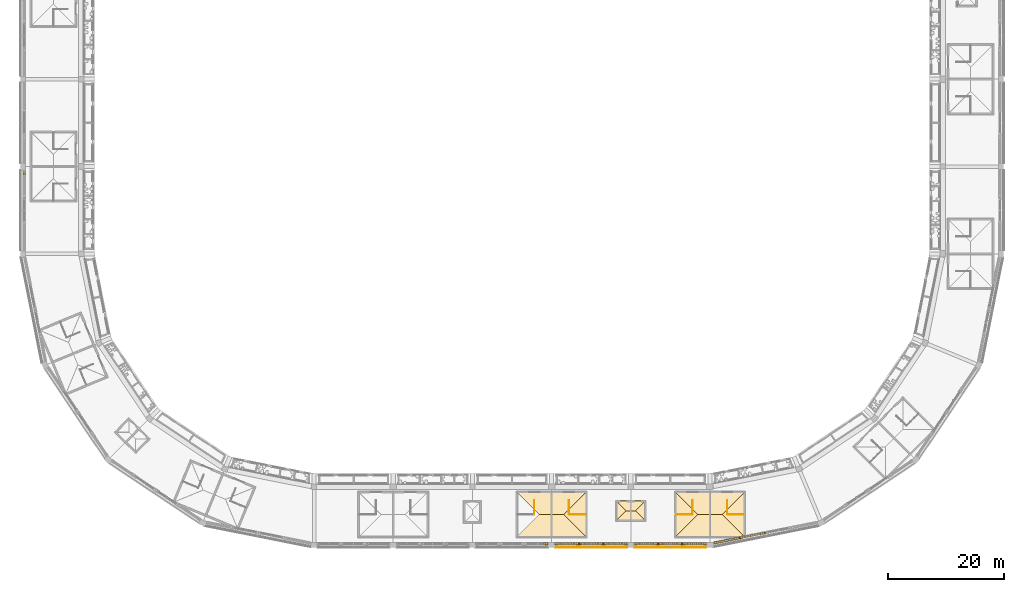
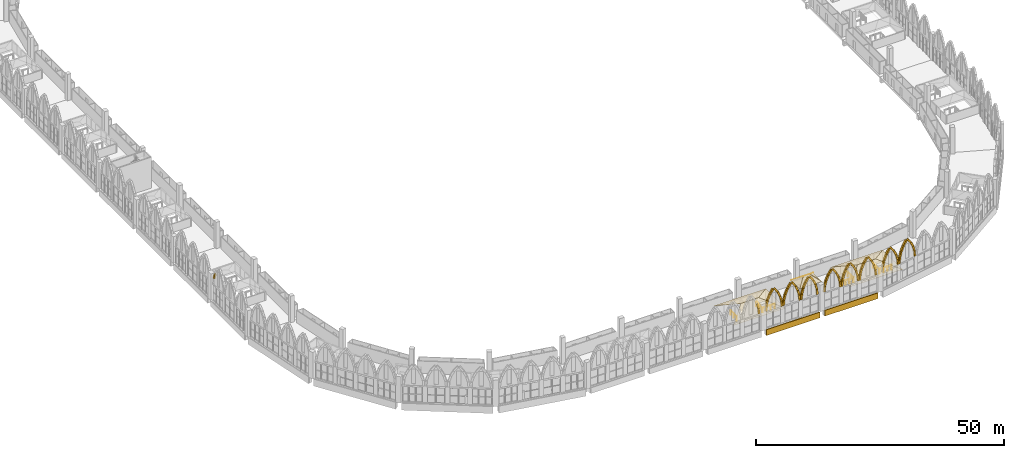
# One storey, part 108 of 130: 80 coverings, 7 railings.
"""IFC4 building model written with IfcOpenShell, lengths in metres."""

from ifc_helpers import new_model, si_unit, direction, frame, origin, origin_2d, place, context, subcontext, project, spatial, polyline, rectangle, circle, outline, extrude, material, layer, layer_set, material_profile, profile_set, type_object, element, save


model = new_model("IFC4")

# Units and contexts
model_context = context("Model", 3, precision=1e-05, world=origin(), true_north=direction((0.0, 1.0)))
body_context = subcontext(model_context, "Body", "Model", "MODEL_VIEW")
ifc_project = project(units=[si_unit("LENGTHUNIT", "METRE"), si_unit("AREAUNIT", "SQUARE_METRE"), si_unit("VOLUMEUNIT", "CUBIC_METRE"), si_unit("PLANEANGLEUNIT", "RADIAN"), si_unit("MASSUNIT", "GRAM", prefix="KILO")], contexts=[model_context])

# Site, building, storey
site_placement = place(None, origin())
site = spatial("IfcSite", under=ifc_project, at=site_placement, CompositionType="ELEMENT")
building_placement = place(site_placement, origin())
building = spatial("IfcBuilding", under=site, at=building_placement, Name="Ogive Plaza Stadium", CompositionType="ELEMENT")
storey_placement = place(building_placement, frame((0.0, 0.0, 22.5)))
storey = spatial("IfcBuildingStorey", under=building, at=storey_placement, Name="L05", CompositionType="ELEMENT", Elevation=22.5)

# Railings
ifc_material_1 = material(Name="Steel ASTM A572 Grade 50", Category="steel")
railing_type = type_object("IfcRailingType", Name="Guard 1100", PredefinedType="GUARDRAIL", material=ifc_material_1)
railing_1_placement = place(storey_placement, frame((31.02490234375, -94.85009765625, 0.0)))
element("IfcRailing", 1, at=railing_1_placement, inside=storey, type_object=railing_type, Name="Stair well guard ST12A L05", PredefinedType="GUARDRAIL", context=body_context, shape_type="SweptSolid", body=[
    extrude(circle(Radius=0.02392578125, at=origin_2d()), frame((0.0, 0.0, 1.076171875), z_axis=(0.0, -1.0, 0.0), x_axis=(1.0, 0.0, 0.0)), (0.0, 0.0, 1.0), 2.39990234375),
    extrude(circle(Radius=0.02099609375, at=origin_2d()), origin(), (0.0, 0.0, 1.0), 1.052001953125),
    extrude(circle(Radius=0.02099609375, at=origin_2d()), frame((0.0, -1.199951171875, 0.0)), (0.0, 0.0, 1.0), 1.052001953125),
    extrude(circle(Radius=0.02099609375, at=origin_2d()), frame((0.0, -2.39990234375, 0.0)), (0.0, 0.0, 1.0), 1.052001953125),
])
railing_2_placement = place(storey_placement, frame((28.175048828125, -97.25, 0.0)))
element("IfcRailing", 2, at=railing_2_placement, inside=storey, type_object=railing_type, Name="Stair guard ST12A L05", PredefinedType="GUARDRAIL", context=body_context, shape_type="SweptSolid", body=[
    extrude(circle(Radius=0.02392578125, at=origin_2d()), frame((0.0, 0.0, 1.076171875), z_axis=(1.0, 0.0, 0.0), x_axis=(0.0, 1.0, 0.0)), (0.0, 0.0, 1.0), 2.800048828125),
    extrude(circle(Radius=0.02099609375, at=origin_2d()), origin(), (0.0, 0.0, 1.0), 1.052001953125),
    extrude(circle(Radius=0.02099609375, at=origin_2d()), frame((0.933349609375, 0.0, 0.0)), (0.0, 0.0, 1.0), 1.052001953125),
    extrude(circle(Radius=0.02099609375, at=origin_2d()), frame((1.86669921875, 0.0, 0.0)), (0.0, 0.0, 1.0), 1.052001953125),
    extrude(circle(Radius=0.02099609375, at=origin_2d()), frame((2.800048828125, 0.0, 0.0)), (0.0, 0.0, 1.0), 1.052001953125),
])
railing_3_placement = place(storey_placement, frame((36.97509765625, -94.85009765625, 0.0)))
element("IfcRailing", 3, at=railing_3_placement, inside=storey, type_object=railing_type, Name="Stair well guard ST12B L05", PredefinedType="GUARDRAIL", context=body_context, shape_type="SweptSolid", body=[
    extrude(circle(Radius=0.02392578125, at=origin_2d()), frame((0.0, 0.0, 1.076171875), z_axis=(0.0, -1.0, 0.0), x_axis=(1.0, 0.0, 0.0)), (0.0, 0.0, 1.0), 2.39990234375),
    extrude(circle(Radius=0.02099609375, at=origin_2d()), origin(), (0.0, 0.0, 1.0), 1.052001953125),
    extrude(circle(Radius=0.02099609375, at=origin_2d()), frame((0.0, -1.199951171875, 0.0)), (0.0, 0.0, 1.0), 1.052001953125),
    extrude(circle(Radius=0.02099609375, at=origin_2d()), frame((0.0, -2.39990234375, 0.0)), (0.0, 0.0, 1.0), 1.052001953125),
])
railing_4_placement = place(storey_placement, frame((37.02490234375, -97.25, 0.0)))
element("IfcRailing", 4, at=railing_4_placement, inside=storey, type_object=railing_type, Name="Stair guard ST12B L05", PredefinedType="GUARDRAIL", context=body_context, shape_type="SweptSolid", body=[
    extrude(circle(Radius=0.02392578125, at=origin_2d()), frame((0.0, 0.0, 1.076171875), z_axis=(1.0, 0.0, 0.0), x_axis=(0.0, 1.0, 0.0)), (0.0, 0.0, 1.0), 2.800048828125),
    extrude(circle(Radius=0.02099609375, at=origin_2d()), origin(), (0.0, 0.0, 1.0), 1.052001953125),
    extrude(circle(Radius=0.02099609375, at=origin_2d()), frame((0.933349609375, 0.0, 0.0)), (0.0, 0.0, 1.0), 1.052001953125),
    extrude(circle(Radius=0.02099609375, at=origin_2d()), frame((1.86669921875, 0.0, 0.0)), (0.0, 0.0, 1.0), 1.052001953125),
    extrude(circle(Radius=0.02099609375, at=origin_2d()), frame((2.800048828125, 0.0, 0.0)), (0.0, 0.0, 1.0), 1.052001953125),
])
for number, where, name in (
    (5, (3.824951171875, -94.85009765625, 0.0), "Stair well guard ST14A L05"),
    (6, (9.77490234375, -94.85009765625, 0.0), "Stair well guard ST14B L05"),
):
    element("IfcRailing", number, at=place(storey_placement, frame(where)), inside=storey, type_object=railing_type, Name=name, PredefinedType="GUARDRAIL", context=body_context, shape_type="SweptSolid", body=[
        extrude(circle(Radius=0.02392578125, at=origin_2d()), frame((0.0, 0.0, 1.076171875), z_axis=(0.0, -1.0, 0.0), x_axis=(1.0, 0.0, 0.0)), (0.0, 0.0, 1.0), 2.39990234375),
        extrude(circle(Radius=0.02099609375, at=origin_2d()), origin(), (0.0, 0.0, 1.0), 1.052001953125),
        extrude(circle(Radius=0.02099609375, at=origin_2d()), frame((0.0, -1.199951171875, 0.0)), (0.0, 0.0, 1.0), 1.052001953125),
        extrude(circle(Radius=0.02099609375, at=origin_2d()), frame((0.0, -2.39990234375, 0.0)), (0.0, 0.0, 1.0), 1.052001953125),
    ])
railing_5_placement = place(storey_placement, frame((9.824951171875, -97.25, 0.0)))
element("IfcRailing", 7, at=railing_5_placement, inside=storey, type_object=railing_type, Name="Stair guard ST14B L05", PredefinedType="GUARDRAIL", context=body_context, shape_type="SweptSolid", body=[
    extrude(circle(Radius=0.02392578125, at=origin_2d()), frame((0.0, 0.0, 1.076171875), z_axis=(1.0, 0.0, 0.0), x_axis=(0.0, 1.0, 0.0)), (0.0, 0.0, 1.0), 2.800048828125),
    extrude(circle(Radius=0.02099609375, at=origin_2d()), origin(), (0.0, 0.0, 1.0), 1.052001953125),
    extrude(circle(Radius=0.02099609375, at=origin_2d()), frame((0.933349609375, 0.0, 0.0)), (0.0, 0.0, 1.0), 1.052001953125),
    extrude(circle(Radius=0.02099609375, at=origin_2d()), frame((1.86669921875, 0.0, 0.0)), (0.0, 0.0, 1.0), 1.052001953125),
    extrude(circle(Radius=0.02099609375, at=origin_2d()), frame((2.800048828125, 0.0, 0.0)), (0.0, 0.0, 1.0), 1.052001953125),
])

# Coverings
ifc_material_2 = material(Name="Zinc sheet", Category="metal")
ifc_layer_1 = layer(ifc_material_2, 0.030029296875)
ifc_layer_set_1 = layer_set([ifc_layer_1], Name="Overrun roof zinc 30")
covering_type_1 = type_object("IfcCoveringType", Name="Overrun roof zinc 30", PredefinedType="ROOFING", material=ifc_layer_set_1)
covering_1_placement = place(storey_placement, frame((17.824951171875, -98.39990234375, 3.6240234375), z_axis=(0.0, -0.596338434259, 0.802733126154), x_axis=(1.0, 0.0, 0.0)))
element("IfcCovering", 8, at=covering_1_placement, inside=storey, type_object=covering_type_1, Name="Lift overrun roof facet LP13 1", PredefinedType="ROOFING", context=body_context, shape_type="SweptSolid", body=[
    extrude(outline(polyline([(0.0, 0.0), (5.150146484375, 0.0), (3.400146484375, 2.180052053394411), (1.75, 2.180052053394411), (0.0, 0.0)])), origin(), (0.0, 0.0, -1.0), 0.030029296875),
])
covering_2_placement = place(storey_placement, frame((22.97509765625, -98.39990234375, 3.6240234375), z_axis=(0.596338434259, 0.0, 0.802733126154), x_axis=(0.0, 1.0, 0.0)))
element("IfcCovering", 9, at=covering_2_placement, inside=storey, type_object=covering_type_1, Name="Lift overrun roof facet LP13 2", PredefinedType="ROOFING", context=body_context, shape_type="SweptSolid", body=[
    extrude(outline(polyline([(0.0, 0.0), (3.5, 0.0), (1.75, 2.1800520533944105), (0.0, 0.0)])), origin(), (0.0, 0.0, -1.0), 0.030029296875),
])
covering_3_placement = place(storey_placement, frame((22.97509765625, -94.89990234375, 3.6240234375), z_axis=(0.0, 0.596338434259, 0.802733126154), x_axis=(-1.0, 0.0, 0.0)))
element("IfcCovering", 10, at=covering_3_placement, inside=storey, type_object=covering_type_1, Name="Lift overrun roof facet LP13 3", PredefinedType="ROOFING", context=body_context, shape_type="SweptSolid", body=[
    extrude(outline(polyline([(0.0, 0.0), (5.150146484375, 0.0), (3.400146484375, 2.180052053394411), (1.75, 2.180052053394411), (0.0, 0.0)])), origin(), (0.0, 0.0, -1.0), 0.030029296875),
])
covering_4_placement = place(storey_placement, frame((17.824951171875, -94.89990234375, 3.6240234375), z_axis=(-0.596338434259, 0.0, 0.802733126154), x_axis=(0.0, -1.0, 0.0)))
element("IfcCovering", 11, at=covering_4_placement, inside=storey, type_object=covering_type_1, Name="Lift overrun roof facet LP13 4", PredefinedType="ROOFING", context=body_context, shape_type="SweptSolid", body=[
    extrude(outline(polyline([(0.0, 0.0), (3.5, 0.0), (1.75, 2.1800520533944105), (0.0, 0.0)])), origin(), (0.0, 0.0, -1.0), 0.030029296875),
])
ifc_material_3 = material(Name="Cast stone (reconstituted limestone)", Category="masonry")
ifc_material_profile = material_profile(ifc_material_3, rectangle(XDim=0.39990234375, YDim=0.39990234375, at=origin_2d()), Name="Cast stone 400x400")
ifc_profile_set = profile_set([ifc_material_profile], Name="Cast stone (reconstituted limestone)")
covering_type_2 = type_object("IfcCoveringType", Name="Precast arch rib 400x400", PredefinedType="MOLDING", material=ifc_profile_set)
covering_5_placement = place(storey_placement, frame((43.3310546875, -100.43994140625, 4.118408203125), z_axis=(-0.090738272501, -0.018184766268, 0.995708732602), x_axis=(0.196501719896, -0.980503479891, 0.0)))
element("IfcCovering", 12, at=covering_5_placement, inside=storey, type_object=covering_type_2, Name="ARCH RIB B11 3.1", PredefinedType="MOLDING", context=body_context, shape_type="SweptSolid", body=[
    extrude(rectangle(XDim=0.39990234375, YDim=0.39990234375, at=origin_2d()), origin(), (0.0, 0.0, 1.0), 1.315673828125),
])
for number, where, z_axis, x_axis, name in (
    (13, (43.205078125, -100.465087890625, 5.46484375), (-0.269296870115, -0.053636661243, 0.961562428715), (0.195336184167, -0.980736343344, 0.0), "ARCH RIB B11 3.2"),
    (14, (42.837646484375, -100.5380859375, 6.764404296875), (-0.438367998716, -0.087228179253, 0.894552817024), (0.1951578198, -0.980771851845, 0.0), "ARCH RIB B11 3.3"),
    (15, (42.24169921875, -100.65673828125, 7.97265625), (-0.592635884975, -0.117858999987, 0.796801081803), (0.195052740217, -0.980792755139, 0.0), "ARCH RIB B11 3.4"),
    (16, (41.1494140625, -100.8740234375, 9.020751953125), (-0.592635884975, -0.117858999987, -0.796801081803), (0.195052740217, -0.980792755139, 0.0), "ARCH RIB B11 3.5"),
):
    element("IfcCovering", number, at=place(storey_placement, frame(where, z_axis=z_axis, x_axis=x_axis)), inside=storey, type_object=covering_type_2, Name=name, PredefinedType="MOLDING", context=body_context, shape_type="SweptSolid", body=[
        extrude(rectangle(XDim=0.39990234375, YDim=0.39990234375, at=origin_2d()), origin(), (0.0, 0.0, 1.0), 1.3154296875),
    ])
covering_6_placement = place(storey_placement, frame((40.350830078125, -101.032958984375, 7.941162109375), z_axis=(-0.438524998312, -0.087036912488, -0.894494495075), x_axis=(0.194679060931, -0.980866995691, 0.0)))
element("IfcCovering", 17, at=covering_6_placement, inside=storey, type_object=covering_type_2, Name="ARCH RIB B11 3.6", PredefinedType="MOLDING", context=body_context, shape_type="SweptSolid", body=[
    extrude(rectangle(XDim=0.39990234375, YDim=0.39990234375, at=origin_2d()), origin(), (0.0, 0.0, 1.0), 1.315673828125),
])
covering_7_placement = place(storey_placement, frame((39.7607421875, -101.150146484375, 6.729736328125), z_axis=(-0.269124722653, -0.053639341274, -0.961610474529), x_axis=(0.19546575346, -0.980710527742, 0.0)))
element("IfcCovering", 18, at=covering_7_placement, inside=storey, type_object=covering_type_2, Name="ARCH RIB B11 3.7", PredefinedType="MOLDING", context=body_context, shape_type="SweptSolid", body=[
    extrude(rectangle(XDim=0.39990234375, YDim=0.39990234375, at=origin_2d()), origin(), (0.0, 0.0, 1.0), 1.3154296875),
])
for number, where, z_axis, x_axis, name in (
    (19, (39.39990234375, -101.221923828125, 5.428466796875), (-0.090738577123, -0.017999267855, -0.99571207534), (0.194572887676, -0.980888062615, 0.0), "ARCH RIB B11 3.8"),
    (20, (38.886474609375, -101.323974609375, 4.118408203125), (-0.090738272501, -0.018184766268, 0.995708732602), (0.196501719896, -0.980503479891, 0.0), "ARCH RIB B11 4.1"),
):
    element("IfcCovering", number, at=place(storey_placement, frame(where, z_axis=z_axis, x_axis=x_axis)), inside=storey, type_object=covering_type_2, Name=name, PredefinedType="MOLDING", context=body_context, shape_type="SweptSolid", body=[
        extrude(rectangle(XDim=0.39990234375, YDim=0.39990234375, at=origin_2d()), origin(), (0.0, 0.0, 1.0), 1.315673828125),
    ])
for number, where, z_axis, x_axis, name in (
    (21, (38.760498046875, -101.34912109375, 5.46484375), (-0.269296870115, -0.053636661243, 0.961562428715), (0.195336184167, -0.980736343344, 0.0), "ARCH RIB B11 4.2"),
    (22, (38.39306640625, -101.422119140625, 6.764404296875), (-0.438367998716, -0.087228179253, 0.894552817024), (0.1951578198, -0.980771851845, 0.0), "ARCH RIB B11 4.3"),
    (23, (37.797119140625, -101.540771484375, 7.97265625), (-0.592635884975, -0.117858999987, 0.796801081803), (0.195052740217, -0.980792755139, 0.0), "ARCH RIB B11 4.4"),
    (24, (36.705078125, -101.758056640625, 9.020751953125), (-0.592756282244, -0.117846036075, -0.796713437593), (0.194993994068, -0.980804436306, 0.0), "ARCH RIB B11 4.5"),
):
    element("IfcCovering", number, at=place(storey_placement, frame(where, z_axis=z_axis, x_axis=x_axis)), inside=storey, type_object=covering_type_2, Name=name, PredefinedType="MOLDING", context=body_context, shape_type="SweptSolid", body=[
        extrude(rectangle(XDim=0.39990234375, YDim=0.39990234375, at=origin_2d()), origin(), (0.0, 0.0, 1.0), 1.3154296875),
    ])
covering_8_placement = place(storey_placement, frame((35.90625, -101.9169921875, 7.941162109375), z_axis=(-0.438517907749, -0.087221081948, -0.894480031888), x_axis=(0.195078374406, -0.980787656855, 0.0)))
element("IfcCovering", 25, at=covering_8_placement, inside=storey, type_object=covering_type_2, Name="ARCH RIB B11 4.6", PredefinedType="MOLDING", context=body_context, shape_type="SweptSolid", body=[
    extrude(rectangle(XDim=0.39990234375, YDim=0.39990234375, at=origin_2d()), origin(), (0.0, 0.0, 1.0), 1.315673828125),
])
covering_9_placement = place(storey_placement, frame((35.316162109375, -102.0341796875, 6.729736328125), z_axis=(-0.269124722653, -0.053639341274, -0.961610474529), x_axis=(0.19546575346, -0.980710527742, 0.0)))
element("IfcCovering", 26, at=covering_9_placement, inside=storey, type_object=covering_type_2, Name="ARCH RIB B11 4.7", PredefinedType="MOLDING", context=body_context, shape_type="SweptSolid", body=[
    extrude(rectangle(XDim=0.39990234375, YDim=0.39990234375, at=origin_2d()), origin(), (0.0, 0.0, 1.0), 1.3154296875),
])
covering_10_placement = place(storey_placement, frame((34.955322265625, -102.10595703125, 5.428466796875), z_axis=(-0.090738272501, -0.018184766268, -0.995708732602), x_axis=(0.196501719896, -0.980503479891, 0.0)))
element("IfcCovering", 27, at=covering_10_placement, inside=storey, type_object=covering_type_2, Name="ARCH RIB B11 4.8", PredefinedType="MOLDING", context=body_context, shape_type="SweptSolid", body=[
    extrude(rectangle(XDim=0.39990234375, YDim=0.39990234375, at=origin_2d()), origin(), (0.0, 0.0, 1.0), 1.315673828125),
])
covering_11_placement = place(storey_placement, frame((33.19921875, -102.300048828125, 4.11669921875), z_axis=(-0.083467432906, 0.0, 0.996510505536), x_axis=(0.0, -1.0, 0.0)))
element("IfcCovering", 28, at=covering_11_placement, inside=storey, type_object=covering_type_2, Name="ARCH RIB B12 1.1", PredefinedType="MOLDING", context=body_context, shape_type="SweptSolid", body=[
    extrude(rectangle(XDim=0.39990234375, YDim=0.39990234375, at=origin_2d()), origin(), (0.0, 0.0, 1.0), 1.292724609375),
])
for number, where, z_axis, x_axis, name in (
    (29, (33.0859375, -102.300048828125, 5.437744140625), (-0.248130007434, 0.0, 0.968726741352), (0.0, -1.0, 0.0), "ARCH RIB B12 1.2"),
    (30, (32.75439453125, -102.300048828125, 6.7216796875), (-0.405805545127, 0.0, 0.913959440864), (0.0, -1.0, 0.0), "ARCH RIB B12 1.3"),
):
    element("IfcCovering", number, at=place(storey_placement, frame(where, z_axis=z_axis, x_axis=x_axis)), inside=storey, type_object=covering_type_2, Name=name, PredefinedType="MOLDING", context=body_context, shape_type="SweptSolid", body=[
        extrude(rectangle(XDim=0.39990234375, YDim=0.39990234375, at=origin_2d()), origin(), (0.0, 0.0, 1.0), 1.29296875),
    ])
for number, where, z_axis, x_axis, name in (
    (31, (32.2138671875, -102.300048828125, 7.9326171875), (-0.55217007731, 0.0, 0.833731494981), (0.0, -1.0, 0.0), "ARCH RIB B12 1.4"),
    (32, (31.16650390625, -102.300048828125, 9.010498046875), (-0.552038792089, 0.0, -0.833818428694), (0.0, -1.0, 0.0), "ARCH RIB B12 1.5"),
    (33, (30.436767578125, -102.300048828125, 7.9033203125), (-0.405647789331, 0.0, -0.914029469443), (0.0, -1.0, 0.0), "ARCH RIB B12 1.6"),
    (34, (29.9013671875, -102.300048828125, 6.690185546875), (-0.247952785685, 0.0, -0.96877211772), (0.0, -1.0, 0.0), "ARCH RIB B12 1.7"),
    (35, (29.5751953125, -102.300048828125, 5.405029296875), (-0.083467432906, 0.0, -0.996510505536), (0.0, -1.0, 0.0), "ARCH RIB B12 1.8"),
    (36, (29.06591796875, -102.300048828125, 4.11669921875), (-0.083467432906, 0.0, 0.996510505536), (0.0, -1.0, 0.0), "ARCH RIB B12 2.1"),
):
    element("IfcCovering", number, at=place(storey_placement, frame(where, z_axis=z_axis, x_axis=x_axis)), inside=storey, type_object=covering_type_2, Name=name, PredefinedType="MOLDING", context=body_context, shape_type="SweptSolid", body=[
        extrude(rectangle(XDim=0.39990234375, YDim=0.39990234375, at=origin_2d()), origin(), (0.0, 0.0, 1.0), 1.292724609375),
    ])
covering_12_placement = place(storey_placement, frame((28.95263671875, -102.300048828125, 5.437744140625), z_axis=(-0.248130007434, 0.0, 0.968726741352), x_axis=(0.0, -1.0, 0.0)))
element("IfcCovering", 37, at=covering_12_placement, inside=storey, type_object=covering_type_2, Name="ARCH RIB B12 2.2", PredefinedType="MOLDING", context=body_context, shape_type="SweptSolid", body=[
    extrude(rectangle(XDim=0.39990234375, YDim=0.39990234375, at=origin_2d()), origin(), (0.0, 0.0, 1.0), 1.29296875),
])
for number, where, z_axis, x_axis, name in (
    (38, (28.620849609375, -102.300048828125, 6.7216796875), (-0.405647789331, 0.0, 0.914029469443), (0.0, -1.0, 0.0), "ARCH RIB B12 2.3"),
    (39, (28.080322265625, -102.300048828125, 7.9326171875), (-0.552038792089, 0.0, 0.833818428694), (0.0, -1.0, 0.0), "ARCH RIB B12 2.4"),
    (40, (27.033203125, -102.300048828125, 9.010498046875), (-0.552038792089, 0.0, -0.833818428694), (0.0, -1.0, 0.0), "ARCH RIB B12 2.5"),
    (41, (26.303466796875, -102.300048828125, 7.9033203125), (-0.405647789331, 0.0, -0.914029469443), (0.0, -1.0, 0.0), "ARCH RIB B12 2.6"),
    (42, (25.76806640625, -102.300048828125, 6.690185546875), (-0.247952785685, 0.0, -0.96877211772), (0.0, -1.0, 0.0), "ARCH RIB B12 2.7"),
    (43, (25.44189453125, -102.300048828125, 5.405029296875), (-0.083467432906, 0.0, -0.996510505536), (0.0, -1.0, 0.0), "ARCH RIB B12 2.8"),
    (44, (24.9326171875, -102.300048828125, 4.11669921875), (-0.083467432906, 0.0, 0.996510505536), (0.0, -1.0, 0.0), "ARCH RIB B12 3.1"),
    (45, (24.819091796875, -102.300048828125, 5.437744140625), (-0.247952785685, 0.0, 0.96877211772), (0.0, -1.0, 0.0), "ARCH RIB B12 3.2"),
    (46, (24.487548828125, -102.300048828125, 6.7216796875), (-0.405647789331, 0.0, 0.914029469443), (0.0, -1.0, 0.0), "ARCH RIB B12 3.3"),
    (47, (23.947021484375, -102.300048828125, 7.9326171875), (-0.552038792089, 0.0, 0.833818428694), (0.0, -1.0, 0.0), "ARCH RIB B12 3.4"),
    (48, (22.89990234375, -102.300048828125, 9.010498046875), (-0.552038792089, 0.0, -0.833818428694), (0.0, -1.0, 0.0), "ARCH RIB B12 3.5"),
    (49, (22.170166015625, -102.300048828125, 7.9033203125), (-0.405647789331, 0.0, -0.914029469443), (0.0, -1.0, 0.0), "ARCH RIB B12 3.6"),
    (50, (21.634765625, -102.300048828125, 6.690185546875), (-0.247952785685, 0.0, -0.96877211772), (0.0, -1.0, 0.0), "ARCH RIB B12 3.7"),
    (51, (21.30859375, -102.300048828125, 5.405029296875), (-0.083467432906, 0.0, -0.996510505536), (0.0, -1.0, 0.0), "ARCH RIB B12 3.8"),
    (52, (19.599365234375, -102.300048828125, 4.11669921875), (-0.083467432906, 0.0, 0.996510505536), (0.0, -1.0, 0.0), "ARCH RIB B13 1.1"),
    (53, (19.48583984375, -102.300048828125, 5.437744140625), (-0.247952785685, 0.0, 0.96877211772), (0.0, -1.0, 0.0), "ARCH RIB B13 1.2"),
    (54, (19.154296875, -102.300048828125, 6.7216796875), (-0.405647789331, 0.0, 0.914029469443), (0.0, -1.0, 0.0), "ARCH RIB B13 1.3"),
    (55, (18.61376953125, -102.300048828125, 7.9326171875), (-0.552038792089, 0.0, 0.833818428694), (0.0, -1.0, 0.0), "ARCH RIB B13 1.4"),
    (56, (17.566650390625, -102.300048828125, 9.010498046875), (-0.55217007731, 0.0, -0.833731494981), (0.0, -1.0, 0.0), "ARCH RIB B13 1.5"),
    (57, (16.8369140625, -102.300048828125, 7.9033203125), (-0.405647789331, 0.0, -0.914029469443), (0.0, -1.0, 0.0), "ARCH RIB B13 1.6"),
):
    element("IfcCovering", number, at=place(storey_placement, frame(where, z_axis=z_axis, x_axis=x_axis)), inside=storey, type_object=covering_type_2, Name=name, PredefinedType="MOLDING", context=body_context, shape_type="SweptSolid", body=[
        extrude(rectangle(XDim=0.39990234375, YDim=0.39990234375, at=origin_2d()), origin(), (0.0, 0.0, 1.0), 1.292724609375),
    ])
covering_13_placement = place(storey_placement, frame((16.301513671875, -102.300048828125, 6.690185546875), z_axis=(-0.248130007434, 0.0, -0.968726741352), x_axis=(0.0, -1.0, 0.0)))
element("IfcCovering", 58, at=covering_13_placement, inside=storey, type_object=covering_type_2, Name="ARCH RIB B13 1.7", PredefinedType="MOLDING", context=body_context, shape_type="SweptSolid", body=[
    extrude(rectangle(XDim=0.39990234375, YDim=0.39990234375, at=origin_2d()), origin(), (0.0, 0.0, 1.0), 1.29296875),
])
for number, where, z_axis, x_axis, name in (
    (59, (15.975341796875, -102.300048828125, 5.405029296875), (-0.083467432906, 0.0, -0.996510505536), (0.0, -1.0, 0.0), "ARCH RIB B13 1.8"),
    (60, (15.466064453125, -102.300048828125, 4.11669921875), (-0.083467432906, 0.0, 0.996510505536), (0.0, -1.0, 0.0), "ARCH RIB B13 2.1"),
    (61, (15.3525390625, -102.300048828125, 5.437744140625), (-0.247952785685, 0.0, 0.96877211772), (0.0, -1.0, 0.0), "ARCH RIB B13 2.2"),
    (62, (15.02099609375, -102.300048828125, 6.7216796875), (-0.405647789331, 0.0, 0.914029469443), (0.0, -1.0, 0.0), "ARCH RIB B13 2.3"),
    (63, (14.48046875, -102.300048828125, 7.9326171875), (-0.552038792089, 0.0, 0.833818428694), (0.0, -1.0, 0.0), "ARCH RIB B13 2.4"),
    (64, (13.433349609375, -102.300048828125, 9.010498046875), (-0.55217007731, 0.0, -0.833731494981), (0.0, -1.0, 0.0), "ARCH RIB B13 2.5"),
):
    element("IfcCovering", number, at=place(storey_placement, frame(where, z_axis=z_axis, x_axis=x_axis)), inside=storey, type_object=covering_type_2, Name=name, PredefinedType="MOLDING", context=body_context, shape_type="SweptSolid", body=[
        extrude(rectangle(XDim=0.39990234375, YDim=0.39990234375, at=origin_2d()), origin(), (0.0, 0.0, 1.0), 1.292724609375),
    ])
for number, where, z_axis, x_axis, name in (
    (65, (12.70361328125, -102.300048828125, 7.9033203125), (-0.405805545127, 0.0, -0.913959440864), (0.0, -1.0, 0.0), "ARCH RIB B13 2.6"),
    (66, (12.168212890625, -102.300048828125, 6.690185546875), (-0.248130007434, 0.0, -0.968726741352), (0.0, -1.0, 0.0), "ARCH RIB B13 2.7"),
):
    element("IfcCovering", number, at=place(storey_placement, frame(where, z_axis=z_axis, x_axis=x_axis)), inside=storey, type_object=covering_type_2, Name=name, PredefinedType="MOLDING", context=body_context, shape_type="SweptSolid", body=[
        extrude(rectangle(XDim=0.39990234375, YDim=0.39990234375, at=origin_2d()), origin(), (0.0, 0.0, 1.0), 1.29296875),
    ])
for number, where, z_axis, x_axis, name in (
    (67, (11.841796875, -102.300048828125, 5.405029296875), (-0.083279903745, 0.0, -0.996526195156), (0.0, -1.0, 0.0), "ARCH RIB B13 2.8"),
    (68, (11.33251953125, -102.300048828125, 4.11669921875), (-0.083279903745, 0.0, 0.996526195156), (0.0, -1.0, 0.0), "ARCH RIB B13 3.1"),
    (69, (11.21923828125, -102.300048828125, 5.437744140625), (-0.247952785685, 0.0, 0.96877211772), (0.0, -1.0, 0.0), "ARCH RIB B13 3.2"),
):
    element("IfcCovering", number, at=place(storey_placement, frame(where, z_axis=z_axis, x_axis=x_axis)), inside=storey, type_object=covering_type_2, Name=name, PredefinedType="MOLDING", context=body_context, shape_type="SweptSolid", body=[
        extrude(rectangle(XDim=0.39990234375, YDim=0.39990234375, at=origin_2d()), origin(), (0.0, 0.0, 1.0), 1.292724609375),
    ])
covering_14_placement = place(storey_placement, frame((10.8876953125, -102.300048828125, 6.7216796875), z_axis=(-0.405805545127, 0.0, 0.913959440864), x_axis=(0.0, -1.0, 0.0)))
element("IfcCovering", 70, at=covering_14_placement, inside=storey, type_object=covering_type_2, Name="ARCH RIB B13 3.3", PredefinedType="MOLDING", context=body_context, shape_type="SweptSolid", body=[
    extrude(rectangle(XDim=0.39990234375, YDim=0.39990234375, at=origin_2d()), origin(), (0.0, 0.0, 1.0), 1.29296875),
])
for number, where, z_axis, x_axis, name in (
    (71, (10.34716796875, -102.300048828125, 7.9326171875), (-0.552038792089, 0.0, 0.833818428694), (0.0, -1.0, 0.0), "ARCH RIB B13 3.4"),
    (72, (9.2998046875, -102.300048828125, 9.010498046875), (-0.552038792089, 0.0, -0.833818428694), (0.0, -1.0, 0.0), "ARCH RIB B13 3.5"),
    (73, (8.570068359375, -102.300048828125, 7.9033203125), (-0.405647789331, 0.0, -0.914029469443), (0.0, -1.0, 0.0), "ARCH RIB B13 3.6"),
    (74, (8.03466796875, -102.300048828125, 6.690185546875), (-0.247952785685, 0.0, -0.96877211772), (0.0, -1.0, 0.0), "ARCH RIB B13 3.7"),
    (75, (7.70849609375, -102.300048828125, 5.405029296875), (-0.083467432906, 0.0, -0.996510505536), (0.0, -1.0, 0.0), "ARCH RIB B13 3.8"),
    (76, (5.999267578125, -102.300048828125, 4.11669921875), (-0.083467432906, 0.0, 0.996510505536), (0.0, -1.0, 0.0), "ARCH RIB B14 1.1"),
):
    element("IfcCovering", number, at=place(storey_placement, frame(where, z_axis=z_axis, x_axis=x_axis)), inside=storey, type_object=covering_type_2, Name=name, PredefinedType="MOLDING", context=body_context, shape_type="SweptSolid", body=[
        extrude(rectangle(XDim=0.39990234375, YDim=0.39990234375, at=origin_2d()), origin(), (0.0, 0.0, 1.0), 1.292724609375),
    ])
covering_15_placement = place(storey_placement, frame((5.885986328125, -102.300048828125, 5.437744140625), z_axis=(-0.248130007434, 0.0, 0.968726741352), x_axis=(0.0, -1.0, 0.0)))
element("IfcCovering", 77, at=covering_15_placement, inside=storey, type_object=covering_type_2, Name="ARCH RIB B14 1.2", PredefinedType="MOLDING", context=body_context, shape_type="SweptSolid", body=[
    extrude(rectangle(XDim=0.39990234375, YDim=0.39990234375, at=origin_2d()), origin(), (0.0, 0.0, 1.0), 1.29296875),
])
covering_16_placement = place(storey_placement, frame((-83.800048828125, -38.80029296875, 6.737060546875), z_axis=(0.0, 0.2789697965, -0.960299876414), x_axis=(-1.0, 0.0, 0.0)))
element("IfcCovering", 78, at=covering_16_placement, inside=storey, type_object=covering_type_2, Name="ARCH RIB B21 3.7", PredefinedType="MOLDING", context=body_context, shape_type="SweptSolid", body=[
    extrude(rectangle(XDim=0.39990234375, YDim=0.39990234375, at=origin_2d()), origin(), (0.0, 0.0, 1.0), 1.31982421875),
])
ifc_material_4 = material(Name="Cast stone (reconstituted limestone)", Category="masonry")
ifc_layer_2 = layer(ifc_material_4, 0.159912109375)
ifc_layer_set_2 = layer_set([ifc_layer_2], Name="Precast spandrel cladding 160")
covering_type_3 = type_object("IfcCoveringType", Name="Precast spandrel cladding 160", PredefinedType="CLADDING", material=ifc_layer_set_2)
covering_17_placement = place(storey_placement, frame((0.0, 0.0, -1.409912109375)))
element("IfcCovering", 79, at=covering_17_placement, inside=storey, type_object=covering_type_3, Name="SPANDREL CLADDING B12 L05", PredefinedType="CLADDING", context=body_context, shape_type="SweptSolid", body=[
    extrude(outline(polyline([(33.39990234375, -102.85009765625), (21.0, -102.85009765625), (21.0, -103.010009765625), (33.39990234375, -103.010009765625), (33.39990234375, -102.85009765625)])), origin(), (0.0, 0.0, 1.0), 1.409912109375),
])
covering_18_placement = place(storey_placement, frame((0.0, 0.0, -1.409912109375)))
element("IfcCovering", 80, at=covering_18_placement, inside=storey, type_object=covering_type_3, Name="SPANDREL CLADDING B13 L05", PredefinedType="CLADDING", context=body_context, shape_type="SweptSolid", body=[
    extrude(outline(polyline([(19.800048828125, -102.85009765625), (7.39990234375, -102.85009765625), (7.39990234375, -103.010009765625), (19.800048828125, -103.010009765625), (19.800048828125, -102.85009765625)])), origin(), (0.0, 0.0, 1.0), 1.409912109375),
])
ifc_material_5 = material(Name="Zinc standing seam", Category="metal")
ifc_layer_3 = layer(ifc_material_5, 0.0400390625)
ifc_layer_set_3 = layer_set([ifc_layer_3], Name="Turret roof zinc standing seam 40")
covering_type_4 = type_object("IfcCoveringType", Name="Turret roof zinc standing seam 40", PredefinedType="ROOFING", material=ifc_layer_set_3)
covering_19_placement = place(storey_placement, frame((27.925048828125, -101.260009765625, 2.337158203125), z_axis=(0.0, -0.372970046205, 0.927843383677), x_axis=(1.0, 0.0, 0.0)))
element("IfcCovering", 81, at=covering_19_placement, inside=storey, type_object=covering_type_4, Name="Stair core roof facet R12 1", PredefinedType="ROOFING", context=body_context, shape_type="SweptSolid", body=[
    extrude(outline(polyline([(0.0, 0.0), (12.14990234375, 0.0), (8.169921875, 4.289495984738666), (3.97998046875, 4.289495984738666), (0.0, 0.0)])), origin(), (0.0, 0.0, -1.0), 0.0400390625),
])
covering_20_placement = place(storey_placement, frame((40.074951171875, -101.260009765625, 2.337158203125), z_axis=(0.372970046205, 0.0, 0.927843383677), x_axis=(0.0, 1.0, 0.0)))
element("IfcCovering", 82, at=covering_20_placement, inside=storey, type_object=covering_type_4, Name="Stair core roof facet R12 2", PredefinedType="ROOFING", context=body_context, shape_type="SweptSolid", body=[
    extrude(outline(polyline([(0.0, 0.0), (7.9599609375, 0.0), (3.97998046875, 4.289495984738666), (0.0, 0.0)])), origin(), (0.0, 0.0, -1.0), 0.0400390625),
])
covering_21_placement = place(storey_placement, frame((40.074951171875, -93.300048828125, 2.337158203125), z_axis=(0.0, 0.372970046205, 0.927843383677), x_axis=(-1.0, 0.0, 0.0)))
element("IfcCovering", 83, at=covering_21_placement, inside=storey, type_object=covering_type_4, Name="Stair core roof facet R12 3", PredefinedType="ROOFING", context=body_context, shape_type="SweptSolid", body=[
    extrude(outline(polyline([(0.0, 0.0), (12.14990234375, 0.0), (8.169921875, 4.289495984738666), (3.97998046875, 4.289495984738666), (0.0, 0.0)])), origin(), (0.0, 0.0, -1.0), 0.0400390625),
])
covering_22_placement = place(storey_placement, frame((27.925048828125, -93.300048828125, 2.337158203125), z_axis=(-0.372970046205, 0.0, 0.927843383677), x_axis=(0.0, -1.0, 0.0)))
element("IfcCovering", 84, at=covering_22_placement, inside=storey, type_object=covering_type_4, Name="Stair core roof facet R12 4", PredefinedType="ROOFING", context=body_context, shape_type="SweptSolid", body=[
    extrude(outline(polyline([(0.0, 0.0), (7.9599609375, 0.0), (3.97998046875, 4.289495984738666), (0.0, 0.0)])), origin(), (0.0, 0.0, -1.0), 0.0400390625),
])
covering_23_placement = place(storey_placement, frame((0.72509765625, -101.260009765625, 2.337158203125), z_axis=(0.0, -0.372970046205, 0.927843383677), x_axis=(1.0, 0.0, 0.0)))
element("IfcCovering", 85, at=covering_23_placement, inside=storey, type_object=covering_type_4, Name="Stair core roof facet R14 1", PredefinedType="ROOFING", context=body_context, shape_type="SweptSolid", body=[
    extrude(outline(polyline([(0.0, 0.0), (12.14990234375, 0.0), (8.169921875, 4.289495984738666), (3.97998046875, 4.289495984738666), (0.0, 0.0)])), origin(), (0.0, 0.0, -1.0), 0.0400390625),
])
covering_24_placement = place(storey_placement, frame((12.875, -101.260009765625, 2.337158203125), z_axis=(0.372970046205, 0.0, 0.927843383677), x_axis=(0.0, 1.0, 0.0)))
element("IfcCovering", 86, at=covering_24_placement, inside=storey, type_object=covering_type_4, Name="Stair core roof facet R14 2", PredefinedType="ROOFING", context=body_context, shape_type="SweptSolid", body=[
    extrude(outline(polyline([(0.0, 0.0), (7.9599609375, 0.0), (3.97998046875, 4.289495984738666), (0.0, 0.0)])), origin(), (0.0, 0.0, -1.0), 0.0400390625),
])
covering_25_placement = place(storey_placement, frame((12.875, -93.300048828125, 2.337158203125), z_axis=(0.0, 0.372970046205, 0.927843383677), x_axis=(-1.0, 0.0, 0.0)))
element("IfcCovering", 87, at=covering_25_placement, inside=storey, type_object=covering_type_4, Name="Stair core roof facet R14 3", PredefinedType="ROOFING", context=body_context, shape_type="SweptSolid", body=[
    extrude(outline(polyline([(0.0, 0.0), (12.14990234375, 0.0), (8.169921875, 4.289495984738666), (3.97998046875, 4.289495984738666), (0.0, 0.0)])), origin(), (0.0, 0.0, -1.0), 0.0400390625),
])

save(model, "model.ifc")
